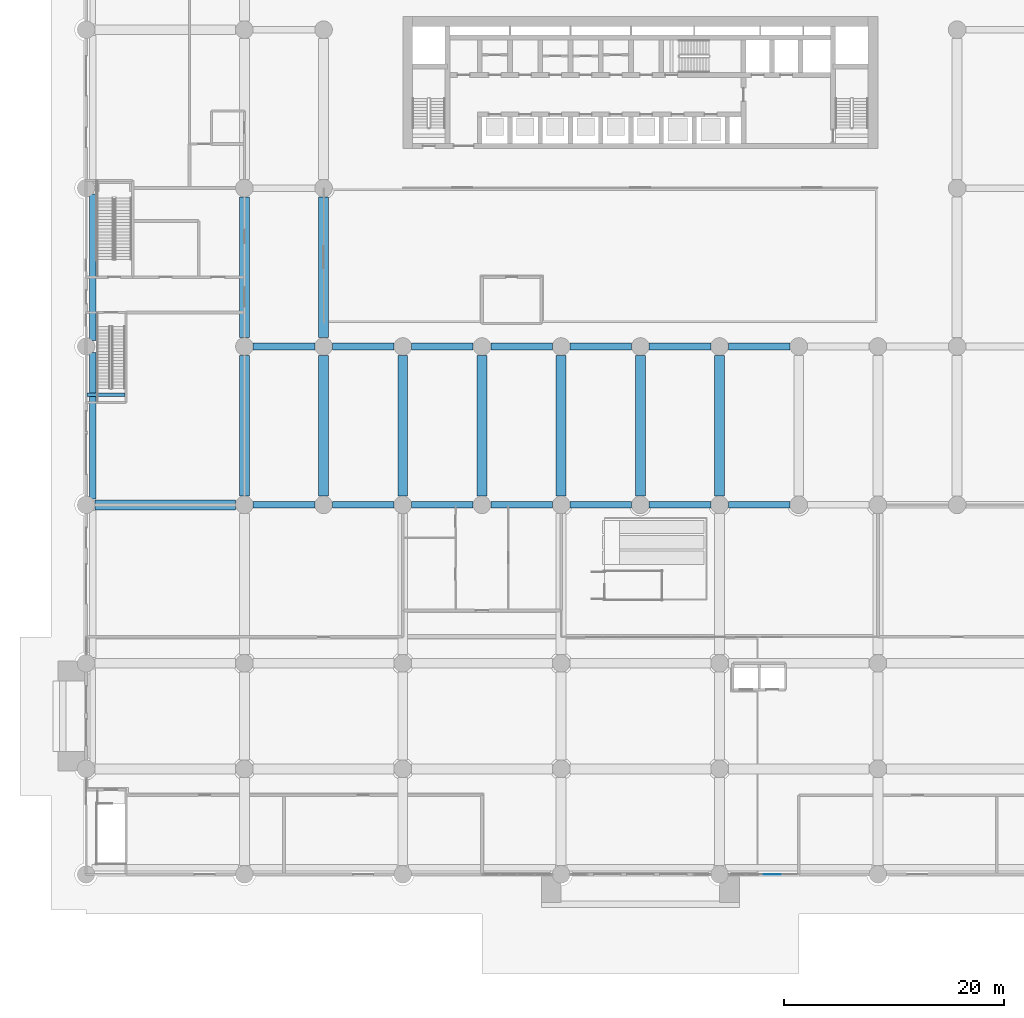
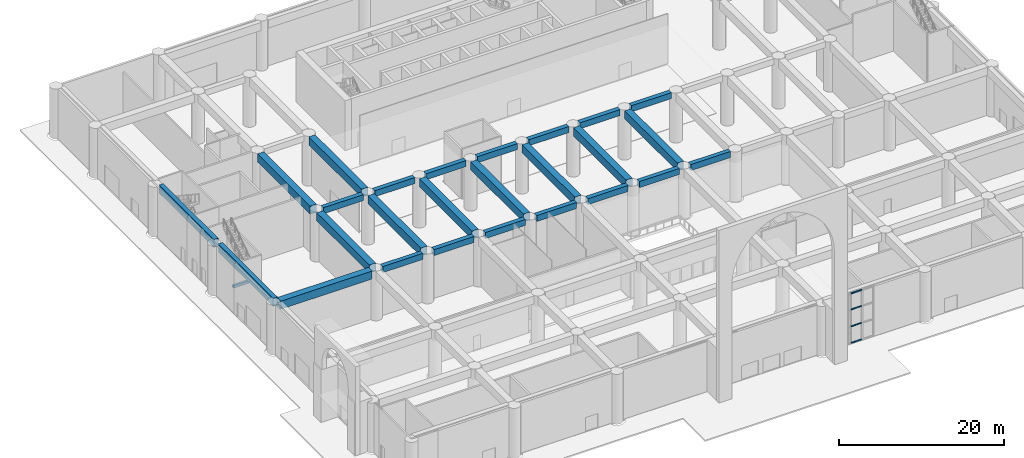
# One storey, part 4 of 32: 27 beams, 4 members, 1 element without a shape of its own.
"""IFC4 building model written with IfcOpenShell, lengths in metres."""

from ifc_helpers import new_model, si_unit, direction, frame, origin, origin_2d, place, context, subcontext, project, spatial, rectangle, extrude, source, transform, mapped, material, layer, layer_set, material_profile, profile_set, type_object, element, aggregate, save


model = new_model("IFC4")

# Units and contexts
model_context = context("Model", 3, precision=1e-05, world=origin(), true_north=direction((0.0, 1.0)))
body_context = subcontext(model_context, "Body", "Model", "MODEL_VIEW")
ifc_project = project(units=[si_unit("LENGTHUNIT", "METRE"), si_unit("AREAUNIT", "SQUARE_METRE"), si_unit("VOLUMEUNIT", "CUBIC_METRE"), si_unit("PLANEANGLEUNIT", "RADIAN"), si_unit("MASSUNIT", "GRAM", prefix="KILO")], contexts=[model_context])

# Site, building, storey
site_placement = place(None, origin())
site = spatial("IfcSite", under=ifc_project, at=site_placement, CompositionType="ELEMENT")
building_placement = place(site_placement, origin())
building = spatial("IfcBuilding", under=site, at=building_placement, Name="Saffron Iwan Residences", CompositionType="ELEMENT")
storey_placement = place(building_placement, origin())
storey = spatial("IfcBuildingStorey", under=building, at=storey_placement, Name="L00", CompositionType="ELEMENT", Elevation=0.0)

# Beams
ifc_material_1 = material(Name="Concrete C50/60", Category="concrete")
ifc_material_profile_1 = material_profile(ifc_material_1, rectangle(XDim=0.60009765625, YDim=1.199951171875, at=origin_2d()), Name="RC 600x1200")
ifc_profile_set_1 = profile_set([ifc_material_profile_1], Name="Concrete C50/60")
beam_type_1 = type_object("IfcBeamType", Name="LINTEL BEAM RC 600x1200 C50/60 TOP 7400", PredefinedType="LINTEL", material=ifc_profile_set_1)
shared_shape_1 = source(origin(), body_context, "Body", "SweptSolid", [
    extrude(rectangle(XDim=0.60009765625, YDim=1.199951171875, at=origin_2d()), origin(), (0.0, 0.0, 1.0), 13.352294921875),
])
for number, where, z_axis, x_axis, name in (
    (1, (0.60009765625, 34.123779296875, 6.800048828125), (0.0, 1.0, 0.0), (-1.0, 0.0, 0.0), "Lintel beam over the iwan"),
    (2, (0.60009765625, 48.52392578125, 6.800048828125), (0.0, 1.0, 0.0), (-1.0, 0.0, 0.0), "Lintel beam over the iwan"),
):
    element("IfcBeam", number, at=place(storey_placement, frame(where, z_axis=z_axis, x_axis=x_axis)), inside=storey, type_object=beam_type_1, Name=name, PredefinedType="LINTEL", context=body_context, shape_type="MappedRepresentation", body=[
        mapped(shared_shape_1, transform((0.0, 0.0, 0.0))),
    ])
ifc_material_profile_2 = material_profile(ifc_material_1, rectangle(XDim=0.89990234375, YDim=1.199951171875, at=origin_2d()), Name="RC 900x1200")
ifc_profile_set_2 = profile_set([ifc_material_profile_2], Name="Concrete C50/60")
beam_type_2 = type_object("IfcBeamType", Name="BEAM RC 900x1200 C50/60 TOP 7400", PredefinedType="BEAM", material=ifc_profile_set_2)
shared_shape_2 = source(origin(), body_context, "Body", "SweptSolid", [
    extrude(rectangle(XDim=0.89990234375, YDim=1.199951171875, at=origin_2d()), origin(), (0.0, 0.0, 1.0), 12.800048828125),
])
for number, where, z_axis, x_axis, name in (
    (3, (0.800048828125, 33.60009765625, 6.800048828125), (1.0, 0.0, 0.0), (0.0, 1.0, 0.0), "Floor beam"),
    (4, (14.39990234375, 34.39990234375, 6.800048828125), (0.0, 1.0, 0.0), (-1.0, 0.0, 0.0), "Floor beam"),
    (5, (21.60009765625, 34.39990234375, 6.800048828125), (0.0, 1.0, 0.0), (-1.0, 0.0, 0.0), "Floor beam"),
    (6, (28.800048828125, 34.39990234375, 6.800048828125), (0.0, 1.0, 0.0), (-1.0, 0.0, 0.0), "Floor beam"),
    (7, (36.0, 34.39990234375, 6.800048828125), (0.0, 1.0, 0.0), (-1.0, 0.0, 0.0), "Floor beam"),
    (8, (43.199951171875, 34.39990234375, 6.800048828125), (0.0, 1.0, 0.0), (-1.0, 0.0, 0.0), "Floor beam"),
    (9, (50.39990234375, 34.39990234375, 6.800048828125), (0.0, 1.0, 0.0), (-1.0, 0.0, 0.0), "Floor beam"),
    (10, (57.60009765625, 34.39990234375, 6.800048828125), (0.0, 1.0, 0.0), (-1.0, 0.0, 0.0), "Floor beam"),
    (11, (14.39990234375, 48.800048828125, 6.800048828125), (0.0, 1.0, 0.0), (-1.0, 0.0, 0.0), "Floor beam"),
    (12, (21.60009765625, 48.800048828125, 6.800048828125), (0.0, 1.0, 0.0), (-1.0, 0.0, 0.0), "Floor beam"),
):
    element("IfcBeam", number, at=place(storey_placement, frame(where, z_axis=z_axis, x_axis=x_axis)), inside=storey, type_object=beam_type_2, Name=name, PredefinedType="BEAM", context=body_context, shape_type="MappedRepresentation", body=[
        mapped(shared_shape_2, transform((0.0, 0.0, 0.0))),
    ])
ifc_material_profile_3 = material_profile(ifc_material_1, rectangle(XDim=0.60009765625, YDim=0.89990234375, at=origin_2d()), Name="RC 600x900")
ifc_profile_set_3 = profile_set([ifc_material_profile_3], Name="Concrete C50/60")
beam_type_3 = type_object("IfcBeamType", Name="BEAM RC 600x900 C50/60 TOP 7400", PredefinedType="BEAM", material=ifc_profile_set_3)
shared_shape_3 = source(origin(), body_context, "Body", "SweptSolid", [
    extrude(rectangle(XDim=0.60009765625, YDim=0.89990234375, at=origin_2d()), origin(), (0.0, 0.0, 1.0), 5.60009765625),
])
for number, where, z_axis, x_axis, name in (
    (13, (15.199951171875, 33.60009765625, 6.949951171875), (1.0, 0.0, 0.0), (0.0, 1.0, 0.0), "Floor beam"),
    (14, (22.39990234375, 33.60009765625, 6.949951171875), (1.0, 0.0, 0.0), (0.0, 1.0, 0.0), "Floor beam"),
    (15, (44.0, 33.60009765625, 6.949951171875), (1.0, 0.0, 0.0), (0.0, 1.0, 0.0), "Floor beam"),
    (16, (51.199951171875, 33.60009765625, 6.949951171875), (1.0, 0.0, 0.0), (0.0, 1.0, 0.0), "Floor beam"),
    (17, (58.39990234375, 33.60009765625, 6.949951171875), (1.0, 0.0, 0.0), (0.0, 1.0, 0.0), "Floor beam"),
    (18, (15.199951171875, 48.0, 6.949951171875), (1.0, 0.0, 0.0), (0.0, 1.0, 0.0), "Floor beam"),
    (19, (22.39990234375, 48.0, 6.949951171875), (1.0, 0.0, 0.0), (0.0, 1.0, 0.0), "Floor beam"),
    (20, (44.0, 48.0, 6.949951171875), (1.0, 0.0, 0.0), (0.0, 1.0, 0.0), "Floor beam"),
    (21, (51.199951171875, 48.0, 6.949951171875), (1.0, 0.0, 0.0), (0.0, 1.0, 0.0), "Floor beam"),
    (22, (58.39990234375, 48.0, 6.949951171875), (1.0, 0.0, 0.0), (0.0, 1.0, 0.0), "Floor beam"),
):
    element("IfcBeam", number, at=place(storey_placement, frame(where, z_axis=z_axis, x_axis=x_axis)), inside=storey, type_object=beam_type_3, Name=name, PredefinedType="BEAM", context=body_context, shape_type="MappedRepresentation", body=[
        mapped(shared_shape_3, transform((0.0, 0.0, 0.0))),
    ])
shared_shape_4 = source(origin(), body_context, "Body", "SweptSolid", [
    extrude(rectangle(XDim=0.60009765625, YDim=0.89990234375, at=origin_2d()), origin(), (0.0, 0.0, 1.0), 5.599853515625),
])
for number, where, z_axis, x_axis, name in (
    (23, (29.60009765625, 33.60009765625, 6.949951171875), (1.0, 0.0, 0.0), (0.0, 1.0, 0.0), "Floor beam"),
    (24, (36.800048828125, 33.60009765625, 6.949951171875), (1.0, 0.0, 0.0), (0.0, 1.0, 0.0), "Floor beam"),
    (25, (29.60009765625, 48.0, 6.949951171875), (1.0, 0.0, 0.0), (0.0, 1.0, 0.0), "Floor beam"),
    (26, (36.800048828125, 48.0, 6.949951171875), (1.0, 0.0, 0.0), (0.0, 1.0, 0.0), "Floor beam"),
):
    element("IfcBeam", number, at=place(storey_placement, frame(where, z_axis=z_axis, x_axis=x_axis)), inside=storey, type_object=beam_type_3, Name=name, PredefinedType="BEAM", context=body_context, shape_type="MappedRepresentation", body=[
        mapped(shared_shape_4, transform((0.0, 0.0, 0.0))),
    ])

# Curtain wall, members
ifc_material_2 = material(Name="Clear glass, laminated double glazed", Category="glass")
ifc_layer = layer(ifc_material_2, 0.199951171875)
ifc_layer_set = layer_set([ifc_layer], Name="Clear glass, laminated double glazed")
curtain_wall_type = type_object("IfcCurtainWallType", Name="CW-A UNITISED FRONTAGE", PredefinedType="NOTDEFINED", material=ifc_layer_set)
curtain_wall_placement = place(storey_placement, origin())
curtain_wall = element("IfcCurtainWall", 27, at=curtain_wall_placement, inside=storey, type_object=curtain_wall_type, Name="Frontage glazing 2.2", PredefinedType="NOTDEFINED")
ifc_material_3 = material(Name="Aluminium 6063-T6", Category="aluminium")
ifc_material_profile_4 = material_profile(ifc_material_3, rectangle(XDim=0.080078125, YDim=0.159912109375, at=origin_2d()), Name="CW-A TRANSOM 80 x 160")
ifc_profile_set_4 = profile_set([ifc_material_profile_4], Name="Aluminium 6063-T6")
member_type = type_object("IfcMemberType", Name="CW-A TRANSOM 80 x 160", PredefinedType="USERDEFINED", material=ifc_profile_set_4)
shared_shape_5 = source(origin(), body_context, "Body", "SweptSolid", [
    extrude(rectangle(XDim=0.080078125, YDim=0.159912109375, at=origin_2d()), origin(), (0.0, 0.0, 1.0), 1.52001953125),
])
member_1_placement = place(storey_placement, frame((61.639892578125, 0.0, 0.0400390625), z_axis=(1.0, 0.0, 0.0), x_axis=(0.0, 1.0, 0.0)))
member_1 = element("IfcMember", 28, at=member_1_placement, type_object=member_type, Name="CW-A transom 3.1", ObjectType="TRANSOM", PredefinedType="USERDEFINED", context=body_context, shape_type="MappedRepresentation", body=[
    mapped(shared_shape_5, transform((0.0, 0.0, 0.0))),
])
member_2_placement = place(storey_placement, frame((61.639892578125, 0.0, 2.5), z_axis=(1.0, 0.0, 0.0), x_axis=(0.0, 1.0, 0.0)))
member_2 = element("IfcMember", 29, at=member_2_placement, type_object=member_type, Name="CW-A transom 3.2", ObjectType="TRANSOM", PredefinedType="USERDEFINED", context=body_context, shape_type="MappedRepresentation", body=[
    mapped(shared_shape_5, transform((0.0, 0.0, 0.0))),
])
member_3_placement = place(storey_placement, frame((61.639892578125, 0.0, 5.0), z_axis=(1.0, 0.0, 0.0), x_axis=(0.0, 1.0, 0.0)))
member_3 = element("IfcMember", 30, at=member_3_placement, type_object=member_type, Name="CW-A transom 3.3", ObjectType="TRANSOM", PredefinedType="USERDEFINED", context=body_context, shape_type="MappedRepresentation", body=[
    mapped(shared_shape_5, transform((0.0, 0.0, 0.0))),
])
member_4_placement = place(storey_placement, frame((61.639892578125, 0.0, 7.360107421875), z_axis=(1.0, 0.0, 0.0), x_axis=(0.0, 1.0, 0.0)))
member_4 = element("IfcMember", 31, at=member_4_placement, type_object=member_type, Name="CW-A transom 3.4", ObjectType="TRANSOM", PredefinedType="USERDEFINED", context=body_context, shape_type="MappedRepresentation", body=[
    mapped(shared_shape_5, transform((0.0, 0.0, 0.0))),
])
aggregate(curtain_wall, [member_1, member_2, member_3, member_4])

# Beam
ifc_material_4 = material(Name="Concrete C40/50", Category="concrete")
ifc_material_profile_5 = material_profile(ifc_material_4, rectangle(XDim=0.300048828125, YDim=0.39990234375, at=origin_2d()), Name="Landing beam RC 300x400 C40/50")
ifc_profile_set_5 = profile_set([ifc_material_profile_5], Name="Concrete C40/50")
beam_type_4 = type_object("IfcBeamType", Name="Landing beam RC 300x400 C40/50", PredefinedType="BEAM", material=ifc_profile_set_5)
shared_shape_6 = source(origin(), body_context, "Body", "SweptSolid", [
    extrude(rectangle(XDim=0.300048828125, YDim=0.39990234375, at=origin_2d()), origin(), (0.0, 0.0, 1.0), 3.449951171875),
])
beam_placement = place(storey_placement, frame((0.10009765625, 43.60009765625, 3.5), z_axis=(1.0, 0.0, 0.0), x_axis=(0.0, 1.0, 0.0)))
element("IfcBeam", 32, at=beam_placement, inside=storey, type_object=beam_type_4, Name="PS1 landing beam", PredefinedType="BEAM", context=body_context, shape_type="MappedRepresentation", body=[
    mapped(shared_shape_6, transform((0.0, 0.0, 0.0))),
])

save(model, "model.ifc")
